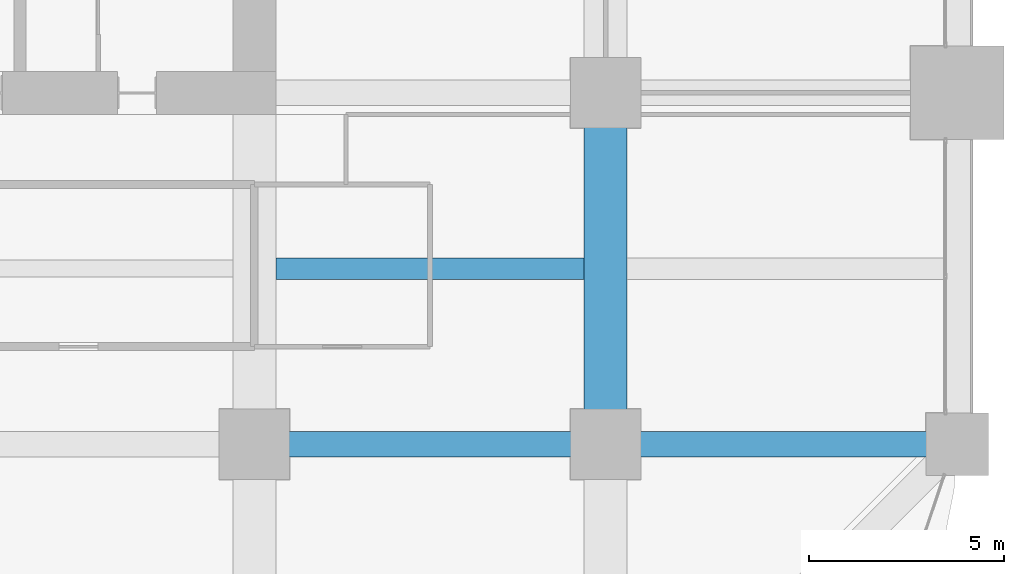
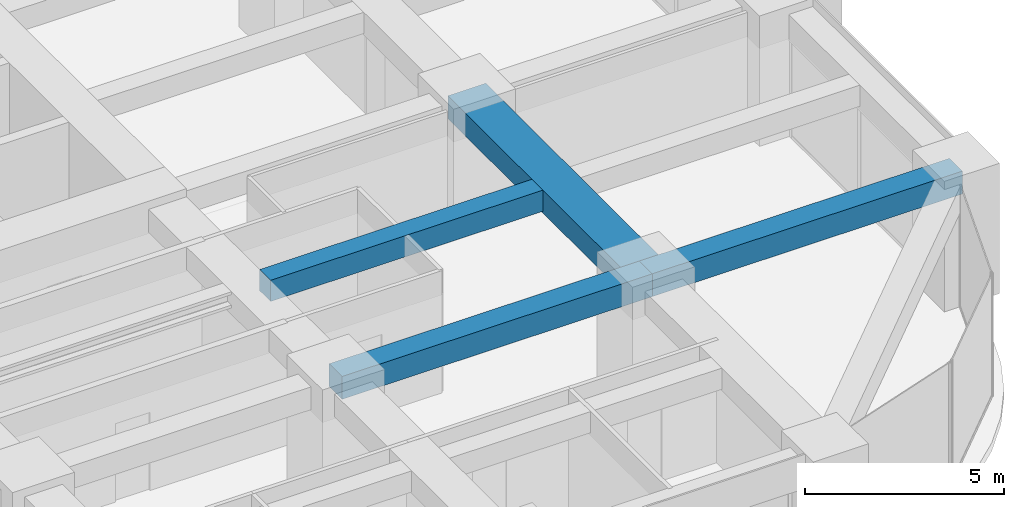
# One storey, part 18 of 40: 4 beams.
"""IFC4 building model written with IfcOpenShell, lengths in metres."""

from ifc_helpers import new_model, si_unit, direction, frame, origin, origin_2d, place, context, subcontext, project, spatial, rectangle, extrude, material, material_profile, profile_set, type_object, element, save


model = new_model("IFC4")

# Units and contexts
model_context = context("Model", 3, precision=1e-05, world=origin(), true_north=direction((0.0, 1.0)))
body_context = subcontext(model_context, "Body", "Model", "MODEL_VIEW")
ifc_project = project(units=[si_unit("LENGTHUNIT", "METRE"), si_unit("AREAUNIT", "SQUARE_METRE"), si_unit("VOLUMEUNIT", "CUBIC_METRE"), si_unit("PLANEANGLEUNIT", "RADIAN"), si_unit("MASSUNIT", "GRAM", prefix="KILO")], contexts=[model_context])

# Site, building, storey
site_placement = place(None, origin())
site = spatial("IfcSite", under=ifc_project, at=site_placement, CompositionType="ELEMENT")
building_placement = place(site_placement, origin())
building = spatial("IfcBuilding", under=site, at=building_placement, Name="Zorevar Civic Tower", CompositionType="ELEMENT")
storey_placement = place(building_placement, frame((0.0, 0.0, 129.0)))
storey = spatial("IfcBuildingStorey", under=building, at=storey_placement, Name="L31", CompositionType="ELEMENT", Elevation=129.0)

# Beams
ifc_material_1 = material(Name="Concrete C50/60", Category="concrete")
ifc_material_profile_1 = material_profile(ifc_material_1, rectangle(XDim=1.10009765625, YDim=0.699951171875, at=origin_2d()), Name="RC 1100x700")
ifc_profile_set_1 = profile_set([ifc_material_profile_1], Name="Concrete C50/60")
beam_type_1 = type_object("IfcBeamType", Name="Beam RC 1100x700", PredefinedType="BEAM", material=ifc_profile_set_1)
beam_1_placement = place(storey_placement, frame((54.0, 9.0, 3.39990234375), z_axis=(0.0, 1.0, 0.0), x_axis=(-1.0, 0.0, 0.0)))
element("IfcBeam", 1, at=beam_1_placement, inside=storey, type_object=beam_type_1, Name="Girder L32", PredefinedType="BEAM", context=body_context, shape_type="SweptSolid", body=[
    extrude(rectangle(XDim=1.10009765625, YDim=0.699951171875, at=origin_2d()), origin(), (0.0, 0.0, 1.0), 9.0),
])
ifc_material_2 = material(Name="Concrete C50/60", Category="concrete")
ifc_material_profile_2 = material_profile(ifc_material_2, rectangle(XDim=0.550048828125, YDim=0.64990234375, at=origin_2d()), Name="RC 550x650")
ifc_profile_set_2 = profile_set([ifc_material_profile_2], Name="Concrete C50/60")
beam_type_2 = type_object("IfcBeamType", Name="Beam RC 550x650", PredefinedType="BEAM", material=ifc_profile_set_2)
beam_2_placement = place(storey_placement, frame((45.550048828125, 13.5, 3.425048828125), z_axis=(1.0, 0.0, 0.0), x_axis=(0.0, 1.0, 0.0)))
element("IfcBeam", 2, at=beam_2_placement, inside=storey, type_object=beam_type_2, Name="Secondary beam L32", PredefinedType="BEAM", context=body_context, shape_type="SweptSolid", body=[
    extrude(rectangle(XDim=0.550048828125, YDim=0.64990234375, at=origin_2d()), origin(), (0.0, 0.0, 1.0), 7.89990234375),
])
ifc_material_3 = material(Name="Concrete C50/60", Category="concrete")
ifc_material_profile_3 = material_profile(ifc_material_3, rectangle(XDim=0.64990234375, YDim=0.699951171875, at=origin_2d()), Name="RC 650x700")
ifc_profile_set_3 = profile_set([ifc_material_profile_3], Name="Concrete C50/60")
beam_type_3 = type_object("IfcBeamType", Name="Beam RC 650x700", PredefinedType="BEAM", material=ifc_profile_set_3)
for number, where, z_axis, x_axis, name in (
    (3, (45.0, 9.0, 3.39990234375), (1.0, 0.0, 0.0), (0.0, 1.0, 0.0), "Girder L32"),
    (4, (54.0, 9.0, 3.39990234375), (1.0, 0.0, 0.0), (0.0, 1.0, 0.0), "Girder L32"),
):
    element("IfcBeam", number, at=place(storey_placement, frame(where, z_axis=z_axis, x_axis=x_axis)), inside=storey, type_object=beam_type_3, Name=name, PredefinedType="BEAM", context=body_context, shape_type="SweptSolid", body=[
        extrude(rectangle(XDim=0.64990234375, YDim=0.699951171875, at=origin_2d()), origin(), (0.0, 0.0, 1.0), 9.0),
    ])

save(model, "model.ifc")
